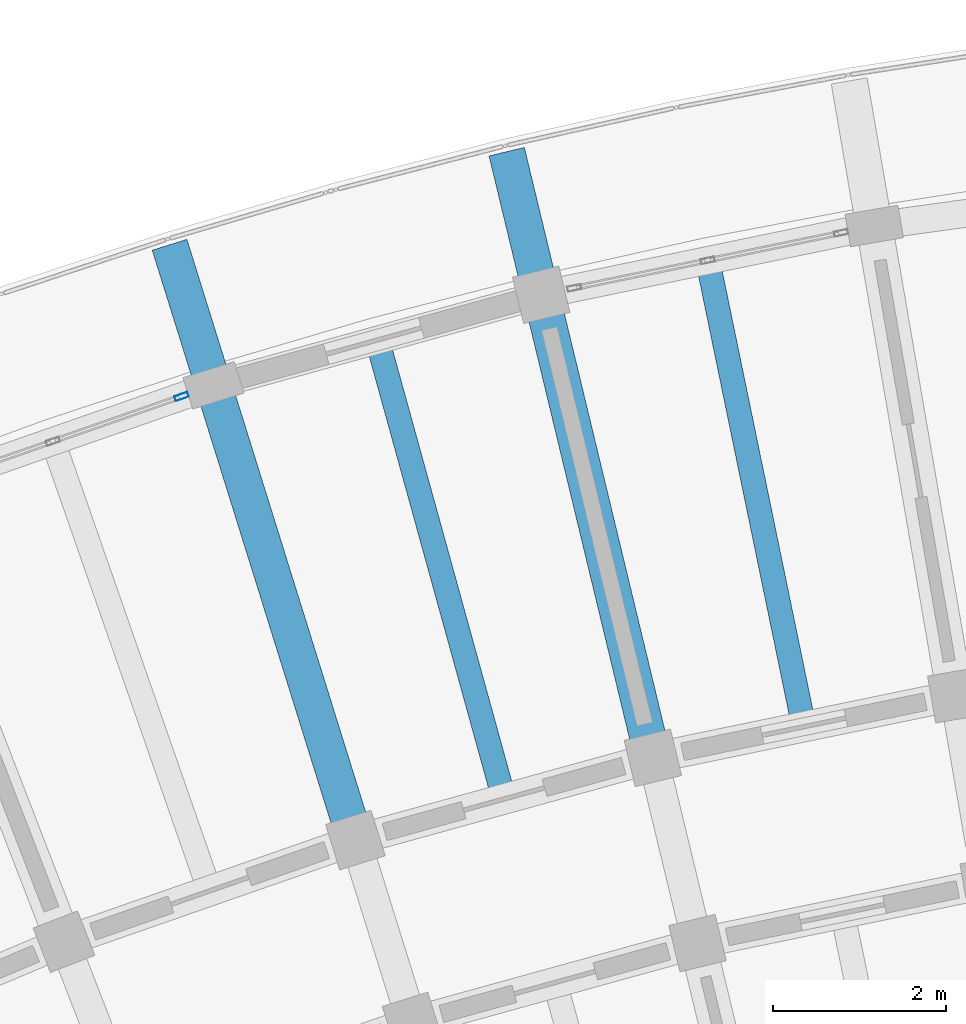
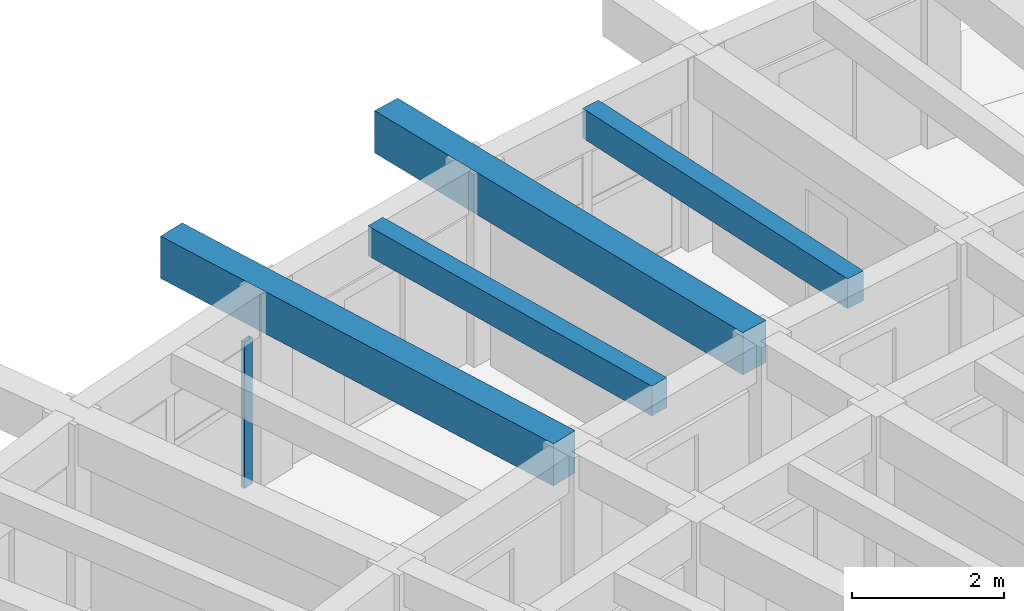
# One storey, part 21 of 96: 4 beams, 1 member, 1 element without a shape of its own.
"""IFC4 building model written with IfcOpenShell, lengths in metres."""

from ifc_helpers import new_model, si_unit, direction, frame, origin, origin_2d, place, context, subcontext, project, spatial, rectangle, hollow_rectangle, extrude, material, material_profile, profile_set, type_object, element, aggregate, save


model = new_model("IFC4")

# Units and contexts
model_context = context("Model", 3, precision=1e-05, world=origin(), true_north=direction((0.0, 1.0)))
body_context = subcontext(model_context, "Body", "Model", "MODEL_VIEW")
ifc_project = project(units=[si_unit("LENGTHUNIT", "METRE"), si_unit("AREAUNIT", "SQUARE_METRE"), si_unit("VOLUMEUNIT", "CUBIC_METRE"), si_unit("PLANEANGLEUNIT", "RADIAN"), si_unit("MASSUNIT", "GRAM", prefix="KILO")], contexts=[model_context])

# Site, building, storey
site_placement = place(None, origin())
site = spatial("IfcSite", under=ifc_project, at=site_placement, CompositionType="ELEMENT")
building_placement = place(site_placement, origin())
building = spatial("IfcBuilding", under=site, at=building_placement, Name="Tanwirah Colonnade Gardens", CompositionType="ELEMENT")
storey_placement = place(building_placement, frame((0.0, 0.0, 12.199951171875)))
storey = spatial("IfcBuildingStorey", under=building, at=storey_placement, Name="L03", CompositionType="ELEMENT", Elevation=12.199951171875)

# Beams
ifc_material_1 = material(Name="Precast concrete C45/55", Category="concrete")
ifc_material_profile_1 = material_profile(ifc_material_1, rectangle(XDim=0.419921875, YDim=0.679931640625, at=origin_2d()), Name="PC-BM 420x680")
ifc_profile_set_1 = profile_set([ifc_material_profile_1], Name="Precast concrete C45/55")
beam_type_1 = type_object("IfcBeamType", Name="BM-PC420", PredefinedType="BEAM", material=ifc_profile_set_1)
beam_1_placement = place(storey_placement, frame((52.296142578125, 112.89013671875, 2.76513671875), z_axis=(-0.234378734126, 0.972145364125, 0.0), x_axis=(-0.972145364125, -0.234378734126, 0.0)))
element("IfcBeam", 1, at=beam_1_placement, inside=storey, type_object=beam_type_1, Name="Block A L03 Outer Radial Precast Girder 2", PredefinedType="BEAM", context=body_context, shape_type="SweptSolid", body=[
    extrude(rectangle(XDim=0.419921875, YDim=0.679931640625, at=origin_2d()), origin(), (0.0, 0.0, 1.0), 7.0498046875),
])
beam_2_placement = place(storey_placement, frame((48.852294921875, 111.938720703125, 2.76513671875), z_axis=(-0.297957513373, 0.954579132511, 0.0), x_axis=(-0.954579132511, -0.297957513373, 0.0)))
element("IfcBeam", 2, at=beam_2_placement, inside=storey, type_object=beam_type_1, Name="Block A L03 Outer Radial Precast Girder 3", PredefinedType="BEAM", context=body_context, shape_type="SweptSolid", body=[
    extrude(rectangle(XDim=0.419921875, YDim=0.679931640625, at=origin_2d()), origin(), (0.0, 0.0, 1.0), 7.050048828125),
])

# Curtain wall, member
ifc_material_2 = material(Name="Bronze-anodised aluminium and solar-control low-E glass", Category="aluminium")
curtain_wall_type = type_object("IfcCurtainWallType", Name="CW-LOB", PredefinedType="NOTDEFINED", material=ifc_material_2)
curtain_wall_placement = place(storey_placement, origin())
curtain_wall = element("IfcCurtainWall", 3, at=curtain_wall_placement, inside=storey, type_object=curtain_wall_type, Name="Curtain Wall CW-A-L03-OUT-03", PredefinedType="NOTDEFINED")
ifc_material_3 = material(Name="Bronze-anodised aluminium", Category="aluminium")
ifc_material_profile_2 = material_profile(ifc_material_3, hollow_rectangle(XDim=0.06005859375, YDim=0.159912109375, WallThickness=0.00390625, at=origin_2d()), Name="CW-MUL 60x160x4")
ifc_profile_set_2 = profile_set([ifc_material_profile_2], Name="Bronze-anodised aluminium")
member_type = type_object("IfcMemberType", Name="CWM-60x160", PredefinedType="MULLION", material=ifc_profile_set_2)
member_placement = place(storey_placement, frame((46.889892578125, 116.917236328125, 0.0), z_axis=(0.0, 0.0, 1.0), x_axis=(0.329233165694, -0.944248655073, 0.0)))
member = element("IfcMember", 4, at=member_placement, type_object=member_type, Name="CW-LOB mullion 1", PredefinedType="MULLION", context=body_context, shape_type="SweptSolid", body=[
    extrude(hollow_rectangle(XDim=0.06005859375, YDim=0.159912109375, WallThickness=0.00390625, at=origin_2d()), origin(), (0.0, 0.0, 1.0), 2.35498046875),
])
aggregate(curtain_wall, [member])

# Beams
ifc_material_4 = material(Name="Precast concrete C40/50", Category="concrete")
ifc_material_profile_3 = material_profile(ifc_material_4, rectangle(XDim=0.280029296875, YDim=0.47998046875, at=origin_2d()), Name="PC-JST 280x480")
ifc_profile_set_3 = profile_set([ifc_material_profile_3], Name="Precast concrete C40/50")
beam_type_2 = type_object("IfcBeamType", Name="JST-PC280", PredefinedType="JOIST", material=ifc_profile_set_3)
beam_3_placement = place(storey_placement, frame((54.0458984375, 113.2509765625, 2.864990234375), z_axis=(-0.202235688429, 0.979336880918, 0.0), x_axis=(-0.979336880918, -0.202235688429, 0.0)))
element("IfcBeam", 5, at=beam_3_placement, inside=storey, type_object=beam_type_2, Name="Block A L03 Precast Floor Joist 1", PredefinedType="JOIST", context=body_context, shape_type="SweptSolid", body=[
    extrude(rectangle(XDim=0.280029296875, YDim=0.47998046875, at=origin_2d()), origin(), (0.0, 0.0, 1.0), 5.259765625),
])
beam_4_placement = place(storey_placement, frame((50.57421875, 112.413818359375, 2.864990234375), z_axis=(-0.266281476085, 0.963895313555, 0.0), x_axis=(-0.963895313555, -0.266281476085, 0.0)))
element("IfcBeam", 6, at=beam_4_placement, inside=storey, type_object=beam_type_2, Name="Block A L03 Precast Floor Joist 2", PredefinedType="JOIST", context=body_context, shape_type="SweptSolid", body=[
    extrude(rectangle(XDim=0.280029296875, YDim=0.47998046875, at=origin_2d()), origin(), (0.0, 0.0, 1.0), 5.260009765625),
])

save(model, "model.ifc")
